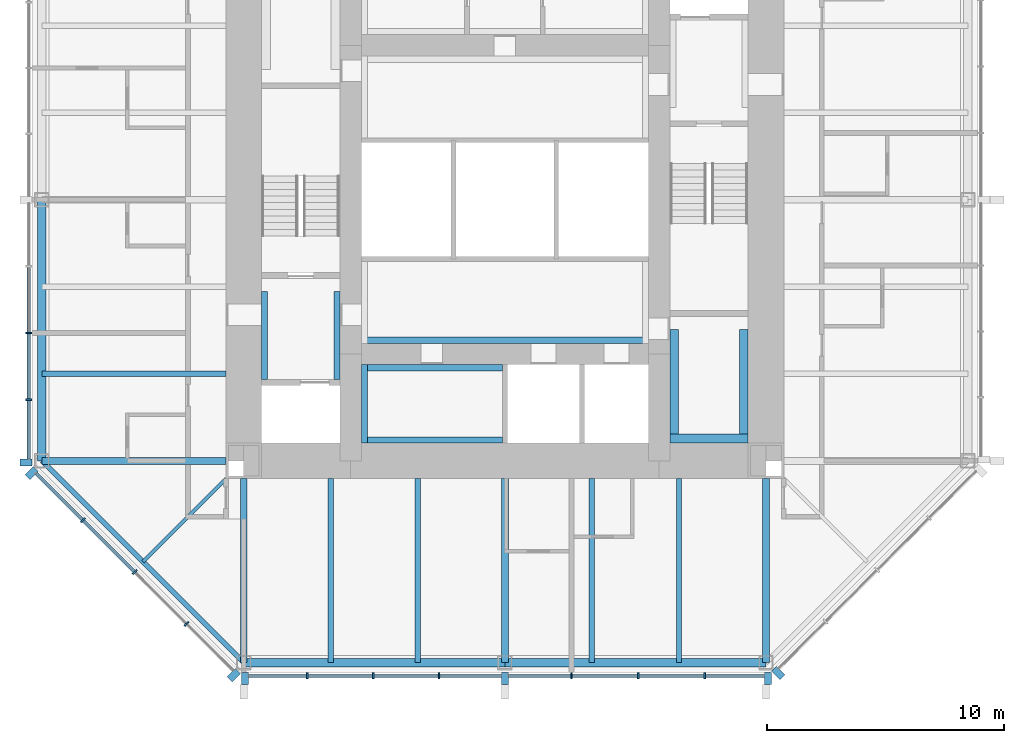
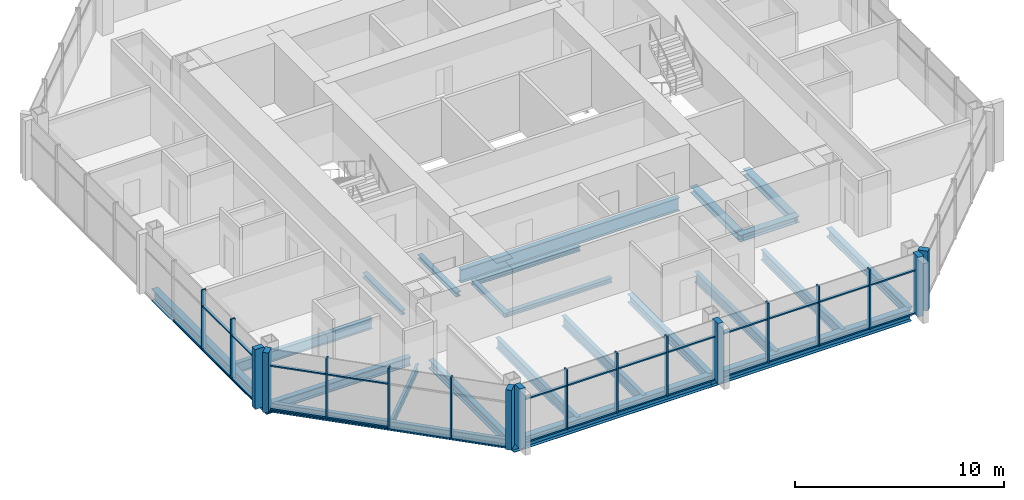
# One storey, part 2 of 11: 43 members, 23 beams, 4 elements without a shape of their own.
"""IFC4 building model written with IfcOpenShell, lengths in metres."""

from ifc_helpers import new_model, si_unit, direction, frame, origin, origin_2d, place, context, subcontext, project, spatial, rectangle, i_section, extrude, material, material_profile, profile_set, type_object, element, aggregate, save


model = new_model("IFC4")

# Units and contexts
model_context = context("Model", 3, precision=1e-05, world=origin(), true_north=direction((0.0, 1.0)))
body_context = subcontext(model_context, "Body", "Model", "MODEL_VIEW")
ifc_project = project(units=[si_unit("LENGTHUNIT", "METRE"), si_unit("AREAUNIT", "SQUARE_METRE"), si_unit("VOLUMEUNIT", "CUBIC_METRE"), si_unit("PLANEANGLEUNIT", "RADIAN"), si_unit("MASSUNIT", "GRAM", prefix="KILO")], contexts=[model_context])

# Site, building, storey
site_placement = place(None, origin())
site = spatial("IfcSite", under=ifc_project, at=site_placement, CompositionType="ELEMENT")
building_placement = place(site_placement, origin())
building = spatial("IfcBuilding", under=site, at=building_placement, Name="Trevanion Tower", CompositionType="ELEMENT")
storey_placement = place(building_placement, frame((0.0, 0.0, 250.199951171875)))
storey = spatial("IfcBuildingStorey", under=building, at=storey_placement, Name="L61", CompositionType="ELEMENT", Elevation=250.199951171875)

# Beams
ifc_material_1 = material(Name="Steel ASTM A992 Grade 50", Category="steel")
ifc_material_profile_1 = material_profile(ifc_material_1, i_section(OverallWidth=0.228271484375, OverallDepth=0.607177734375, WebThickness=0.01123046875, FlangeThickness=0.017333984375, at=origin_2d()), Name="W24X76")
ifc_profile_set_1 = profile_set([ifc_material_profile_1], Name="Steel ASTM A992 Grade 50")
beam_type_1 = type_object("IfcBeamType", Name="B11 W24X76", PredefinedType="BEAM", material=ifc_profile_set_1)
for number, where, z_axis, x_axis, name in (
    (1, (-11.75, -7.333251953125, -0.493408203125), (-1.0, 0.0, 0.0), (0.0, -1.0, 0.0), "B11 L61"),
    (2, (-7.333251953125, -11.75, -0.493408203125), (0.0, -1.0, 0.0), (1.0, 0.0, 0.0), "B11 L61"),
    (3, (-3.666748046875, -11.75, -0.493408203125), (0.0, -1.0, 0.0), (1.0, 0.0, 0.0), "B11 L61"),
    (4, (3.666748046875, -11.75, -0.493408203125), (0.0, -1.0, 0.0), (1.0, 0.0, 0.0), "B11 L61"),
    (5, (7.333251953125, -11.75, -0.493408203125), (0.0, -1.0, 0.0), (1.0, 0.0, 0.0), "B11 L61"),
):
    element("IfcBeam", number, at=place(storey_placement, frame(where, z_axis=z_axis, x_axis=x_axis)), inside=storey, type_object=beam_type_1, Name=name, PredefinedType="BEAM", context=body_context, shape_type="SweptSolid", body=[
        extrude(i_section(OverallWidth=0.228271484375, OverallDepth=0.607177734375, WebThickness=0.01123046875, FlangeThickness=0.017333984375, at=origin_2d()), origin(), (0.0, 0.0, 1.0), 7.75),
    ])
ifc_material_2 = material(Name="Steel ASTM A992 Grade 50", Category="steel")
ifc_material_profile_2 = material_profile(ifc_material_2, i_section(OverallWidth=0.15234375, OverallDepth=0.449462890625, WebThickness=0.007568359375, FlangeThickness=0.0107421875, at=origin_2d()), Name="W18X35")
ifc_profile_set_2 = profile_set([ifc_material_profile_2], Name="Steel ASTM A992 Grade 50")
beam_type_2 = type_object("IfcBeamType", Name="B12 W18X35", PredefinedType="BEAM", material=ifc_profile_set_2)
beam_1_placement = place(storey_placement, frame((-11.75, -11.75, -0.414794921875), z_axis=(-0.707106781187, -0.707106781187, 0.0), x_axis=(0.707106781187, -0.707106781187, 0.0)))
element("IfcBeam", 6, at=beam_1_placement, inside=storey, type_object=beam_type_2, Name="B12 L61", PredefinedType="BEAM", context=body_context, shape_type="SweptSolid", body=[
    extrude(i_section(OverallWidth=0.15234375, OverallDepth=0.449462890625, WebThickness=0.007568359375, FlangeThickness=0.0107421875, at=origin_2d()), origin(), (0.0, 0.0, 1.0), 4.94970703125),
])

# Curtain wall, members
ifc_material_3 = material(Name="Aluminium and glass", Category="aluminium")
curtain_wall_type = type_object("IfcCurtainWallType", Name="CW3 curtain wall", PredefinedType="USERDEFINED", material=ifc_material_3)
curtain_wall_1_placement = place(storey_placement, origin())
curtain_wall_1 = element("IfcCurtainWall", 7, at=curtain_wall_1_placement, inside=storey, type_object=curtain_wall_type, Name="CW3 L61 4", ObjectType="UNITISED CURTAIN WALL", PredefinedType="USERDEFINED")
ifc_material_4 = material(Name="Aluminium extrusion, anodised bronze", Category="aluminium")
ifc_material_profile_3 = material_profile(ifc_material_4, rectangle(XDim=0.074951171875, YDim=0.25, at=origin_2d()), Name="CW3 mullion")
ifc_profile_set_3 = profile_set([ifc_material_profile_3], Name="Aluminium extrusion, anodised bronze")
member_type_1 = type_object("IfcMemberType", Name="CW3 mullion", PredefinedType="MULLION", material=ifc_profile_set_3)
member_1_placement = place(storey_placement, frame((-20.050048828125, -5.614013671875, -0.18994140625), z_axis=(0.0, 0.0, 1.0), x_axis=(0.0, -1.0, 0.0)))
member_1 = element("IfcMember", 8, at=member_1_placement, type_object=member_type_1, Name="CW3 mullion 7", PredefinedType="MULLION", context=body_context, shape_type="SweptSolid", body=[
    extrude(rectangle(XDim=0.074951171875, YDim=0.25, at=origin_2d()), origin(), (0.0, 0.0, 1.0), 3.5),
])
member_2_placement = place(storey_placement, frame((-20.050048828125, -8.4208984375, -0.18994140625), z_axis=(0.0, 0.0, 1.0), x_axis=(0.0, -1.0, 0.0)))
member_2 = element("IfcMember", 9, at=member_2_placement, type_object=member_type_1, Name="CW3 mullion 8", PredefinedType="MULLION", context=body_context, shape_type="SweptSolid", body=[
    extrude(rectangle(XDim=0.074951171875, YDim=0.25, at=origin_2d()), origin(), (0.0, 0.0, 1.0), 3.5),
])

curtain_wall_2_placement = place(storey_placement, origin())
curtain_wall_2 = element("IfcCurtainWall", 10, at=curtain_wall_2_placement, inside=storey, type_object=curtain_wall_type, Name="CW3 L61 5", ObjectType="UNITISED CURTAIN WALL", PredefinedType="USERDEFINED")
member_3_placement = place(storey_placement, frame((-17.775390625, -13.502197265625, -0.18994140625), z_axis=(0.0, 0.0, 1.0), x_axis=(0.707106781187, -0.707106781187, 0.0)))
member_3 = element("IfcMember", 11, at=member_3_placement, type_object=member_type_1, Name="CW3 mullion 2", PredefinedType="MULLION", context=body_context, shape_type="SweptSolid", body=[
    extrude(rectangle(XDim=0.074951171875, YDim=0.25, at=origin_2d()), origin(), (0.0, 0.0, 1.0), 3.5),
])
member_4_placement = place(storey_placement, frame((-15.593017578125, -15.684814453125, -0.18994140625), z_axis=(0.0, 0.0, 1.0), x_axis=(0.707106781187, -0.707106781187, 0.0)))
member_4 = element("IfcMember", 12, at=member_4_placement, type_object=member_type_1, Name="CW3 mullion 3", PredefinedType="MULLION", context=body_context, shape_type="SweptSolid", body=[
    extrude(rectangle(XDim=0.074951171875, YDim=0.25, at=origin_2d()), origin(), (0.0, 0.0, 1.0), 3.5),
])
member_5_placement = place(storey_placement, frame((-13.410400390625, -17.867431640625, -0.18994140625), z_axis=(0.0, 0.0, 1.0), x_axis=(0.707106781187, -0.707106781187, 0.0)))
member_5 = element("IfcMember", 13, at=member_5_placement, type_object=member_type_1, Name="CW3 mullion 4", PredefinedType="MULLION", context=body_context, shape_type="SweptSolid", body=[
    extrude(rectangle(XDim=0.074951171875, YDim=0.25, at=origin_2d()), origin(), (0.0, 0.0, 1.0), 3.5),
])

curtain_wall_3_placement = place(storey_placement, origin())
curtain_wall_3 = element("IfcCurtainWall", 14, at=curtain_wall_3_placement, inside=storey, type_object=curtain_wall_type, Name="CW3 L61 6", ObjectType="UNITISED CURTAIN WALL", PredefinedType="USERDEFINED")
member_6_placement = place(storey_placement, frame((-8.323486328125, -20.050048828125, -0.18994140625), z_axis=(0.0, 0.0, 1.0), x_axis=(1.0, 0.0, 0.0)))
member_6 = element("IfcMember", 15, at=member_6_placement, type_object=member_type_1, Name="CW3 mullion 2", PredefinedType="MULLION", context=body_context, shape_type="SweptSolid", body=[
    extrude(rectangle(XDim=0.074951171875, YDim=0.25, at=origin_2d()), origin(), (0.0, 0.0, 1.0), 3.5),
])
member_7_placement = place(storey_placement, frame((-5.548828125, -20.050048828125, -0.18994140625), z_axis=(0.0, 0.0, 1.0), x_axis=(1.0, 0.0, 0.0)))
member_7 = element("IfcMember", 16, at=member_7_placement, type_object=member_type_1, Name="CW3 mullion 3", PredefinedType="MULLION", context=body_context, shape_type="SweptSolid", body=[
    extrude(rectangle(XDim=0.074951171875, YDim=0.25, at=origin_2d()), origin(), (0.0, 0.0, 1.0), 3.5),
])
member_8_placement = place(storey_placement, frame((-2.7744140625, -20.050048828125, -0.18994140625), z_axis=(0.0, 0.0, 1.0), x_axis=(1.0, 0.0, 0.0)))
member_8 = element("IfcMember", 17, at=member_8_placement, type_object=member_type_1, Name="CW3 mullion 4", PredefinedType="MULLION", context=body_context, shape_type="SweptSolid", body=[
    extrude(rectangle(XDim=0.074951171875, YDim=0.25, at=origin_2d()), origin(), (0.0, 0.0, 1.0), 3.5),
])
member_9_placement = place(storey_placement, frame((2.806884765625, -20.050048828125, -0.18994140625), z_axis=(0.0, 0.0, 1.0), x_axis=(1.0, 0.0, 0.0)))
member_9 = element("IfcMember", 18, at=member_9_placement, type_object=member_type_1, Name="CW3 mullion 6", PredefinedType="MULLION", context=body_context, shape_type="SweptSolid", body=[
    extrude(rectangle(XDim=0.074951171875, YDim=0.25, at=origin_2d()), origin(), (0.0, 0.0, 1.0), 3.5),
])
member_10_placement = place(storey_placement, frame((5.614013671875, -20.050048828125, -0.18994140625), z_axis=(0.0, 0.0, 1.0), x_axis=(1.0, 0.0, 0.0)))
member_10 = element("IfcMember", 19, at=member_10_placement, type_object=member_type_1, Name="CW3 mullion 7", PredefinedType="MULLION", context=body_context, shape_type="SweptSolid", body=[
    extrude(rectangle(XDim=0.074951171875, YDim=0.25, at=origin_2d()), origin(), (0.0, 0.0, 1.0), 3.5),
])
member_11_placement = place(storey_placement, frame((8.4208984375, -20.050048828125, -0.18994140625), z_axis=(0.0, 0.0, 1.0), x_axis=(1.0, 0.0, 0.0)))
member_11 = element("IfcMember", 20, at=member_11_placement, type_object=member_type_1, Name="CW3 mullion 8", PredefinedType="MULLION", context=body_context, shape_type="SweptSolid", body=[
    extrude(rectangle(XDim=0.074951171875, YDim=0.25, at=origin_2d()), origin(), (0.0, 0.0, 1.0), 3.5),
])

# Member
ifc_material_5 = material(Name="Aluminium extrusion, anodised bronze", Category="aluminium")
ifc_material_profile_4 = material_profile(ifc_material_5, rectangle(XDim=0.300048828125, YDim=0.5, at=origin_2d()), Name="CW3 pier mullion")
ifc_profile_set_4 = profile_set([ifc_material_profile_4], Name="Aluminium extrusion, anodised bronze")
member_type_2 = type_object("IfcMemberType", Name="CW3 pier mullion", PredefinedType="MULLION", material=ifc_profile_set_4)
member_12_placement = place(storey_placement, frame((-20.175048828125, -11.077880859375, -0.18994140625), z_axis=(0.0, 0.0, 1.0), x_axis=(0.0, -1.0, 0.0)))
member_12 = element("IfcMember", 21, at=member_12_placement, type_object=member_type_2, Name="CW3 pier mullion 9", PredefinedType="MULLION", context=body_context, shape_type="SweptSolid", body=[
    extrude(rectangle(XDim=0.300048828125, YDim=0.5, at=origin_2d()), origin(), (0.0, 0.0, 1.0), 3.5),
])

member_13_placement = place(storey_placement, frame((-19.9404296875, -11.51416015625, -0.18994140625), z_axis=(0.0, 0.0, 1.0), x_axis=(0.707106781187, -0.707106781187, 0.0)))
member_13 = element("IfcMember", 22, at=member_13_placement, type_object=member_type_2, Name="CW3 pier mullion 1", PredefinedType="MULLION", context=body_context, shape_type="SweptSolid", body=[
    extrude(rectangle(XDim=0.300048828125, YDim=0.5, at=origin_2d()), origin(), (0.0, 0.0, 1.0), 3.5),
])

member_14_placement = place(storey_placement, frame((-11.42236328125, -20.0322265625, -0.18994140625), z_axis=(0.0, 0.0, 1.0), x_axis=(0.707106781187, -0.707106781187, 0.0)))
member_14 = element("IfcMember", 23, at=member_14_placement, type_object=member_type_2, Name="CW3 pier mullion 5", PredefinedType="MULLION", context=body_context, shape_type="SweptSolid", body=[
    extrude(rectangle(XDim=0.300048828125, YDim=0.5, at=origin_2d()), origin(), (0.0, 0.0, 1.0), 3.5),
])

member_15_placement = place(storey_placement, frame((-10.94775390625, -20.175048828125, -0.18994140625), z_axis=(0.0, 0.0, 1.0), x_axis=(1.0, 0.0, 0.0)))
member_15 = element("IfcMember", 24, at=member_15_placement, type_object=member_type_2, Name="CW3 pier mullion 1", PredefinedType="MULLION", context=body_context, shape_type="SweptSolid", body=[
    extrude(rectangle(XDim=0.300048828125, YDim=0.5, at=origin_2d()), origin(), (0.0, 0.0, 1.0), 3.5),
])

member_16_placement = place(storey_placement, frame((0.0, -20.175048828125, -0.18994140625), z_axis=(0.0, 0.0, 1.0), x_axis=(1.0, 0.0, 0.0)))
member_16 = element("IfcMember", 25, at=member_16_placement, type_object=member_type_2, Name="CW3 pier mullion 5", PredefinedType="MULLION", context=body_context, shape_type="SweptSolid", body=[
    extrude(rectangle(XDim=0.300048828125, YDim=0.5, at=origin_2d()), origin(), (0.0, 0.0, 1.0), 3.5),
])

member_17_placement = place(storey_placement, frame((11.077880859375, -20.175048828125, -0.18994140625), z_axis=(0.0, 0.0, 1.0), x_axis=(1.0, 0.0, 0.0)))
member_17 = element("IfcMember", 26, at=member_17_placement, type_object=member_type_2, Name="CW3 pier mullion 9", PredefinedType="MULLION", context=body_context, shape_type="SweptSolid", body=[
    extrude(rectangle(XDim=0.300048828125, YDim=0.5, at=origin_2d()), origin(), (0.0, 0.0, 1.0), 3.5),
])

# Curtain wall, member
curtain_wall_4_placement = place(storey_placement, origin())
curtain_wall_4 = element("IfcCurtainWall", 27, at=curtain_wall_4_placement, inside=storey, type_object=curtain_wall_type, Name="CW3 L61 7", ObjectType="UNITISED CURTAIN WALL", PredefinedType="USERDEFINED")
member_18_placement = place(storey_placement, frame((11.51416015625, -19.9404296875, -0.18994140625), z_axis=(0.0, 0.0, 1.0), x_axis=(0.707106781187, 0.707106781187, 0.0)))
member_18 = element("IfcMember", 28, at=member_18_placement, type_object=member_type_2, Name="CW3 pier mullion 1", PredefinedType="MULLION", context=body_context, shape_type="SweptSolid", body=[
    extrude(rectangle(XDim=0.300048828125, YDim=0.5, at=origin_2d()), origin(), (0.0, 0.0, 1.0), 3.5),
])
aggregate(curtain_wall_4, [member_18])

# Member
ifc_material_6 = material(Name="Aluminium extrusion, anodised bronze", Category="aluminium")
ifc_material_profile_5 = material_profile(ifc_material_6, rectangle(XDim=0.14990234375, YDim=0.074951171875, at=origin_2d()), Name="CW3 transom")
ifc_profile_set_5 = profile_set([ifc_material_profile_5], Name="Aluminium extrusion, anodised bronze")
member_type_3 = type_object("IfcMemberType", Name="CW3 transom", PredefinedType="USERDEFINED", material=ifc_profile_set_5)
member_19_placement = place(storey_placement, frame((-20.050048828125, -2.844482421875, -0.15234375), z_axis=(0.0, -1.0, 0.0), x_axis=(1.0, 0.0, 0.0)))
member_19 = element("IfcMember", 29, at=member_19_placement, type_object=member_type_3, Name="CW3 transom 6.1", ObjectType="TRANSOM", PredefinedType="USERDEFINED", context=body_context, shape_type="SweptSolid", body=[
    extrude(rectangle(XDim=0.14990234375, YDim=0.074951171875, at=origin_2d()), origin(), (0.0, 0.0, 1.0), 2.73193359375),
])

member_20_placement = place(storey_placement, frame((-20.050048828125, -5.6513671875, -0.15234375), z_axis=(0.0, -1.0, 0.0), x_axis=(1.0, 0.0, 0.0)))
member_20 = element("IfcMember", 30, at=member_20_placement, type_object=member_type_3, Name="CW3 transom 7.1", ObjectType="TRANSOM", PredefinedType="USERDEFINED", context=body_context, shape_type="SweptSolid", body=[
    extrude(rectangle(XDim=0.14990234375, YDim=0.074951171875, at=origin_2d()), origin(), (0.0, 0.0, 1.0), 2.73193359375),
])

member_21_placement = place(storey_placement, frame((-20.050048828125, -5.6513671875, 2.360107421875), z_axis=(0.0, -1.0, 0.0), x_axis=(1.0, 0.0, 0.0)))
member_21 = element("IfcMember", 31, at=member_21_placement, type_object=member_type_3, Name="CW3 transom 7.2", ObjectType="TRANSOM", PredefinedType="USERDEFINED", context=body_context, shape_type="SweptSolid", body=[
    extrude(rectangle(XDim=0.14990234375, YDim=0.074951171875, at=origin_2d()), origin(), (0.0, 0.0, 1.0), 2.73193359375),
])

member_22_placement = place(storey_placement, frame((-20.050048828125, -8.45849609375, -0.15234375), z_axis=(0.0, -1.0, 0.0), x_axis=(1.0, 0.0, 0.0)))
member_22 = element("IfcMember", 32, at=member_22_placement, type_object=member_type_3, Name="CW3 transom 8.1", ObjectType="TRANSOM", PredefinedType="USERDEFINED", context=body_context, shape_type="SweptSolid", body=[
    extrude(rectangle(XDim=0.14990234375, YDim=0.074951171875, at=origin_2d()), origin(), (0.0, 0.0, 1.0), 2.46923828125),
])

member_23_placement = place(storey_placement, frame((-20.050048828125, -8.45849609375, 2.360107421875), z_axis=(0.0, -1.0, 0.0), x_axis=(1.0, 0.0, 0.0)))
member_23 = element("IfcMember", 33, at=member_23_placement, type_object=member_type_3, Name="CW3 transom 8.2", ObjectType="TRANSOM", PredefinedType="USERDEFINED", context=body_context, shape_type="SweptSolid", body=[
    extrude(rectangle(XDim=0.14990234375, YDim=0.074951171875, at=origin_2d()), origin(), (0.0, 0.0, 1.0), 2.46923828125),
])

aggregate(curtain_wall_1, [member_1, member_2, member_12, member_19, member_20, member_21, member_22, member_23])

member_24_placement = place(storey_placement, frame((-19.745849609375, -11.531982421875, -0.15234375), z_axis=(0.707106781187, -0.707106781187, 0.0), x_axis=(0.707106781187, 0.707106781187, 0.0)))
member_24 = element("IfcMember", 34, at=member_24_placement, type_object=member_type_3, Name="CW3 transom 1.1", ObjectType="TRANSOM", PredefinedType="USERDEFINED", context=body_context, shape_type="SweptSolid", body=[
    extrude(rectangle(XDim=0.14990234375, YDim=0.074951171875, at=origin_2d()), origin(), (0.0, 0.0, 1.0), 2.7490234375),
])

member_25_placement = place(storey_placement, frame((-19.745849609375, -11.531982421875, 2.360107421875), z_axis=(0.707106781187, -0.707106781187, 0.0), x_axis=(0.707106781187, 0.707106781187, 0.0)))
member_25 = element("IfcMember", 35, at=member_25_placement, type_object=member_type_3, Name="CW3 transom 1.2", ObjectType="TRANSOM", PredefinedType="USERDEFINED", context=body_context, shape_type="SweptSolid", body=[
    extrude(rectangle(XDim=0.14990234375, YDim=0.074951171875, at=origin_2d()), origin(), (0.0, 0.0, 1.0), 2.7490234375),
])

member_26_placement = place(storey_placement, frame((-17.7490234375, -13.52880859375, -0.15234375), z_axis=(0.707106781187, -0.707106781187, 0.0), x_axis=(0.707106781187, 0.707106781187, 0.0)))
member_26 = element("IfcMember", 36, at=member_26_placement, type_object=member_type_3, Name="CW3 transom 2.1", ObjectType="TRANSOM", PredefinedType="USERDEFINED", context=body_context, shape_type="SweptSolid", body=[
    extrude(rectangle(XDim=0.14990234375, YDim=0.074951171875, at=origin_2d()), origin(), (0.0, 0.0, 1.0), 3.01171875),
])

member_27_placement = place(storey_placement, frame((-17.7490234375, -13.52880859375, 2.360107421875), z_axis=(0.707106781187, -0.707106781187, 0.0), x_axis=(0.707106781187, 0.707106781187, 0.0)))
member_27 = element("IfcMember", 37, at=member_27_placement, type_object=member_type_3, Name="CW3 transom 2.2", ObjectType="TRANSOM", PredefinedType="USERDEFINED", context=body_context, shape_type="SweptSolid", body=[
    extrude(rectangle(XDim=0.14990234375, YDim=0.074951171875, at=origin_2d()), origin(), (0.0, 0.0, 1.0), 3.01171875),
])

aggregate(curtain_wall_2, [member_13, member_3, member_4, member_5, member_14, member_24, member_25, member_26, member_27])

member_28_placement = place(storey_placement, frame((-10.7978515625, -20.050048828125, -0.15234375), z_axis=(1.0, 0.0, 0.0), x_axis=(0.0, 1.0, 0.0)))
member_28 = element("IfcMember", 38, at=member_28_placement, type_object=member_type_3, Name="CW3 transom 1.1", ObjectType="TRANSOM", PredefinedType="USERDEFINED", context=body_context, shape_type="SweptSolid", body=[
    extrude(rectangle(XDim=0.14990234375, YDim=0.074951171875, at=origin_2d()), origin(), (0.0, 0.0, 1.0), 2.43701171875),
])

member_29_placement = place(storey_placement, frame((-10.7978515625, -20.050048828125, 2.360107421875), z_axis=(1.0, 0.0, 0.0), x_axis=(0.0, 1.0, 0.0)))
member_29 = element("IfcMember", 39, at=member_29_placement, type_object=member_type_3, Name="CW3 transom 1.2", ObjectType="TRANSOM", PredefinedType="USERDEFINED", context=body_context, shape_type="SweptSolid", body=[
    extrude(rectangle(XDim=0.14990234375, YDim=0.074951171875, at=origin_2d()), origin(), (0.0, 0.0, 1.0), 2.43701171875),
])

member_30_placement = place(storey_placement, frame((-8.285888671875, -20.050048828125, -0.15234375), z_axis=(1.0, 0.0, 0.0), x_axis=(0.0, 1.0, 0.0)))
member_30 = element("IfcMember", 40, at=member_30_placement, type_object=member_type_3, Name="CW3 transom 2.1", ObjectType="TRANSOM", PredefinedType="USERDEFINED", context=body_context, shape_type="SweptSolid", body=[
    extrude(rectangle(XDim=0.14990234375, YDim=0.074951171875, at=origin_2d()), origin(), (0.0, 0.0, 1.0), 2.699462890625),
])

member_31_placement = place(storey_placement, frame((-8.285888671875, -20.050048828125, 2.360107421875), z_axis=(1.0, 0.0, 0.0), x_axis=(0.0, 1.0, 0.0)))
member_31 = element("IfcMember", 41, at=member_31_placement, type_object=member_type_3, Name="CW3 transom 2.2", ObjectType="TRANSOM", PredefinedType="USERDEFINED", context=body_context, shape_type="SweptSolid", body=[
    extrude(rectangle(XDim=0.14990234375, YDim=0.074951171875, at=origin_2d()), origin(), (0.0, 0.0, 1.0), 2.699462890625),
])

member_32_placement = place(storey_placement, frame((-5.511474609375, -20.050048828125, -0.15234375), z_axis=(1.0, 0.0, 0.0), x_axis=(0.0, 1.0, 0.0)))
member_32 = element("IfcMember", 42, at=member_32_placement, type_object=member_type_3, Name="CW3 transom 3.1", ObjectType="TRANSOM", PredefinedType="USERDEFINED", context=body_context, shape_type="SweptSolid", body=[
    extrude(rectangle(XDim=0.14990234375, YDim=0.074951171875, at=origin_2d()), origin(), (0.0, 0.0, 1.0), 2.699462890625),
])

member_33_placement = place(storey_placement, frame((-5.511474609375, -20.050048828125, 2.360107421875), z_axis=(1.0, 0.0, 0.0), x_axis=(0.0, 1.0, 0.0)))
member_33 = element("IfcMember", 43, at=member_33_placement, type_object=member_type_3, Name="CW3 transom 3.2", ObjectType="TRANSOM", PredefinedType="USERDEFINED", context=body_context, shape_type="SweptSolid", body=[
    extrude(rectangle(XDim=0.14990234375, YDim=0.074951171875, at=origin_2d()), origin(), (0.0, 0.0, 1.0), 2.699462890625),
])

member_34_placement = place(storey_placement, frame((-2.737060546875, -20.050048828125, -0.15234375), z_axis=(1.0, 0.0, 0.0), x_axis=(0.0, 1.0, 0.0)))
member_34 = element("IfcMember", 44, at=member_34_placement, type_object=member_type_3, Name="CW3 transom 4.1", ObjectType="TRANSOM", PredefinedType="USERDEFINED", context=body_context, shape_type="SweptSolid", body=[
    extrude(rectangle(XDim=0.14990234375, YDim=0.074951171875, at=origin_2d()), origin(), (0.0, 0.0, 1.0), 2.587158203125),
])

member_35_placement = place(storey_placement, frame((-2.737060546875, -20.050048828125, 2.360107421875), z_axis=(1.0, 0.0, 0.0), x_axis=(0.0, 1.0, 0.0)))
member_35 = element("IfcMember", 45, at=member_35_placement, type_object=member_type_3, Name="CW3 transom 4.2", ObjectType="TRANSOM", PredefinedType="USERDEFINED", context=body_context, shape_type="SweptSolid", body=[
    extrude(rectangle(XDim=0.14990234375, YDim=0.074951171875, at=origin_2d()), origin(), (0.0, 0.0, 1.0), 2.587158203125),
])

member_36_placement = place(storey_placement, frame((0.14990234375, -20.050048828125, -0.15234375), z_axis=(1.0, 0.0, 0.0), x_axis=(0.0, 1.0, 0.0)))
member_36 = element("IfcMember", 46, at=member_36_placement, type_object=member_type_3, Name="CW3 transom 5.1", ObjectType="TRANSOM", PredefinedType="USERDEFINED", context=body_context, shape_type="SweptSolid", body=[
    extrude(rectangle(XDim=0.14990234375, YDim=0.074951171875, at=origin_2d()), origin(), (0.0, 0.0, 1.0), 2.619384765625),
])

member_37_placement = place(storey_placement, frame((0.14990234375, -20.050048828125, 2.360107421875), z_axis=(1.0, 0.0, 0.0), x_axis=(0.0, 1.0, 0.0)))
member_37 = element("IfcMember", 47, at=member_37_placement, type_object=member_type_3, Name="CW3 transom 5.2", ObjectType="TRANSOM", PredefinedType="USERDEFINED", context=body_context, shape_type="SweptSolid", body=[
    extrude(rectangle(XDim=0.14990234375, YDim=0.074951171875, at=origin_2d()), origin(), (0.0, 0.0, 1.0), 2.619384765625),
])

member_38_placement = place(storey_placement, frame((2.844482421875, -20.050048828125, -0.15234375), z_axis=(1.0, 0.0, 0.0), x_axis=(0.0, 1.0, 0.0)))
member_38 = element("IfcMember", 48, at=member_38_placement, type_object=member_type_3, Name="CW3 transom 6.1", ObjectType="TRANSOM", PredefinedType="USERDEFINED", context=body_context, shape_type="SweptSolid", body=[
    extrude(rectangle(XDim=0.14990234375, YDim=0.074951171875, at=origin_2d()), origin(), (0.0, 0.0, 1.0), 2.73193359375),
])

member_39_placement = place(storey_placement, frame((2.844482421875, -20.050048828125, 2.360107421875), z_axis=(1.0, 0.0, 0.0), x_axis=(0.0, 1.0, 0.0)))
member_39 = element("IfcMember", 49, at=member_39_placement, type_object=member_type_3, Name="CW3 transom 6.2", ObjectType="TRANSOM", PredefinedType="USERDEFINED", context=body_context, shape_type="SweptSolid", body=[
    extrude(rectangle(XDim=0.14990234375, YDim=0.074951171875, at=origin_2d()), origin(), (0.0, 0.0, 1.0), 2.73193359375),
])

member_40_placement = place(storey_placement, frame((5.6513671875, -20.050048828125, -0.15234375), z_axis=(1.0, 0.0, 0.0), x_axis=(0.0, 1.0, 0.0)))
member_40 = element("IfcMember", 50, at=member_40_placement, type_object=member_type_3, Name="CW3 transom 7.1", ObjectType="TRANSOM", PredefinedType="USERDEFINED", context=body_context, shape_type="SweptSolid", body=[
    extrude(rectangle(XDim=0.14990234375, YDim=0.074951171875, at=origin_2d()), origin(), (0.0, 0.0, 1.0), 2.73193359375),
])

member_41_placement = place(storey_placement, frame((5.6513671875, -20.050048828125, 2.360107421875), z_axis=(1.0, 0.0, 0.0), x_axis=(0.0, 1.0, 0.0)))
member_41 = element("IfcMember", 51, at=member_41_placement, type_object=member_type_3, Name="CW3 transom 7.2", ObjectType="TRANSOM", PredefinedType="USERDEFINED", context=body_context, shape_type="SweptSolid", body=[
    extrude(rectangle(XDim=0.14990234375, YDim=0.074951171875, at=origin_2d()), origin(), (0.0, 0.0, 1.0), 2.73193359375),
])

member_42_placement = place(storey_placement, frame((8.45849609375, -20.050048828125, -0.15234375), z_axis=(1.0, 0.0, 0.0), x_axis=(0.0, 1.0, 0.0)))
member_42 = element("IfcMember", 52, at=member_42_placement, type_object=member_type_3, Name="CW3 transom 8.1", ObjectType="TRANSOM", PredefinedType="USERDEFINED", context=body_context, shape_type="SweptSolid", body=[
    extrude(rectangle(XDim=0.14990234375, YDim=0.074951171875, at=origin_2d()), origin(), (0.0, 0.0, 1.0), 2.46923828125),
])

member_43_placement = place(storey_placement, frame((8.45849609375, -20.050048828125, 2.360107421875), z_axis=(1.0, 0.0, 0.0), x_axis=(0.0, 1.0, 0.0)))
member_43 = element("IfcMember", 53, at=member_43_placement, type_object=member_type_3, Name="CW3 transom 8.2", ObjectType="TRANSOM", PredefinedType="USERDEFINED", context=body_context, shape_type="SweptSolid", body=[
    extrude(rectangle(XDim=0.14990234375, YDim=0.074951171875, at=origin_2d()), origin(), (0.0, 0.0, 1.0), 2.46923828125),
])

aggregate(curtain_wall_3, [member_15, member_6, member_7, member_8, member_16, member_9, member_10, member_11, member_17, member_28, member_29, member_30, member_31, member_32, member_33, member_34, member_35, member_36, member_37, member_38, member_39, member_40, member_41, member_42, member_43])

# Beams
ifc_material_7 = material(Name="Steel ASTM A992 Grade 50", Category="steel")
ifc_material_profile_6 = material_profile(ifc_material_7, i_section(OverallWidth=0.28955078125, OverallDepth=0.508056640625, WebThickness=0.022705078125, FlangeThickness=0.040283203125, at=origin_2d()), Name="W18X175")
ifc_profile_set_6 = profile_set([ifc_material_profile_6], Name="Steel ASTM A992 Grade 50")
beam_type_3 = type_object("IfcBeamType", Name="G6 W18X175", PredefinedType="BEAM", material=ifc_profile_set_6)
for number, where, z_axis, x_axis, name in (
    (54, (-11.75, -11.0, -0.44384765625), (-1.0, 0.0, 0.0), (0.0, -1.0, 0.0), "G6 L61"),
    (55, (-11.0, -11.75, -0.44384765625), (0.0, -1.0, 0.0), (1.0, 0.0, 0.0), "G6 L61"),
    (56, (0.0, -11.75, -0.44384765625), (0.0, -1.0, 0.0), (1.0, 0.0, 0.0), "G6 L61"),
    (57, (11.0, -11.75, -0.44384765625), (0.0, -1.0, 0.0), (1.0, 0.0, 0.0), "G6 L61"),
):
    element("IfcBeam", number, at=place(storey_placement, frame(where, z_axis=z_axis, x_axis=x_axis)), inside=storey, type_object=beam_type_3, Name=name, PredefinedType="BEAM", context=body_context, shape_type="SweptSolid", body=[
        extrude(i_section(OverallWidth=0.28955078125, OverallDepth=0.508056640625, WebThickness=0.022705078125, FlangeThickness=0.040283203125, at=origin_2d()), origin(), (0.0, 0.0, 1.0), 7.75),
    ])
ifc_material_8 = material(Name="Steel ASTM A992 Grade 50", Category="steel")
ifc_material_profile_7 = material_profile(ifc_material_8, i_section(OverallWidth=0.256591796875, OverallDepth=0.26416015625, WebThickness=0.011962890625, FlangeThickness=0.01953125, at=origin_2d()), Name="W10X68")
ifc_profile_set_7 = profile_set([ifc_material_profile_7], Name="Steel ASTM A992 Grade 50")
beam_type_4 = type_object("IfcBeamType", Name="LB1 W10X68", PredefinedType="BEAM", material=ifc_profile_set_7)
for number, where, z_axis, x_axis, name in (
    (58, (-10.12158203125, -7.574951171875, -0.33203125), (0.0, 1.0, 0.0), (-1.0, 0.0, 0.0), "LB1 L61"),
    (59, (-7.078369140625, -7.574951171875, -0.33203125), (0.0, 1.0, 0.0), (-1.0, 0.0, 0.0), "LB1 L61"),
):
    element("IfcBeam", number, at=place(storey_placement, frame(where, z_axis=z_axis, x_axis=x_axis)), inside=storey, type_object=beam_type_4, Name=name, PredefinedType="BEAM", context=body_context, shape_type="SweptSolid", body=[
        extrude(i_section(OverallWidth=0.256591796875, OverallDepth=0.26416015625, WebThickness=0.011962890625, FlangeThickness=0.01953125, at=origin_2d()), origin(), (0.0, 0.0, 1.0), 3.699951171875),
    ])
beam_2_placement = place(storey_placement, frame((-5.921630859375, -10.25, -0.33203125), z_axis=(0.0, 1.0, 0.0), x_axis=(-1.0, 0.0, 0.0)))
element("IfcBeam", 60, at=beam_2_placement, inside=storey, type_object=beam_type_4, Name="LB1 L61", PredefinedType="BEAM", context=body_context, shape_type="SweptSolid", body=[
    extrude(i_section(OverallWidth=0.256591796875, OverallDepth=0.26416015625, WebThickness=0.011962890625, FlangeThickness=0.01953125, at=origin_2d()), origin(), (0.0, 0.0, 1.0), 3.300048828125),
])
for number, where, z_axis, x_axis, name in (
    (61, (-6.050048828125, -10.12158203125, -0.33203125), (1.0, 0.0, 0.0), (0.0, 1.0, 0.0), "LB1 L61"),
    (62, (-6.050048828125, -7.078369140625, -0.33203125), (1.0, 0.0, 0.0), (0.0, 1.0, 0.0), "LB1 L61"),
):
    element("IfcBeam", number, at=place(storey_placement, frame(where, z_axis=z_axis, x_axis=x_axis)), inside=storey, type_object=beam_type_4, Name=name, PredefinedType="BEAM", context=body_context, shape_type="SweptSolid", body=[
        extrude(i_section(OverallWidth=0.256591796875, OverallDepth=0.26416015625, WebThickness=0.011962890625, FlangeThickness=0.01953125, at=origin_2d()), origin(), (0.0, 0.0, 1.0), 5.949951171875),
    ])
ifc_material_9 = material(Name="Steel ASTM A992 Grade 50", Category="steel")
ifc_material_profile_8 = material_profile(ifc_material_9, i_section(OverallWidth=0.373291015625, OverallDepth=0.373291015625, WebThickness=0.016357421875, FlangeThickness=0.026123046875, at=origin_2d()), Name="W14X132")
ifc_profile_set_8 = profile_set([ifc_material_profile_8], Name="Steel ASTM A992 Grade 50")
beam_type_5 = type_object("IfcBeamType", Name="LB2 W14X132", PredefinedType="BEAM", material=ifc_profile_set_8)
for number, where, z_axis, x_axis, name in (
    (63, (7.13671875, -10.25, -0.38671875), (0.0, 1.0, 0.0), (-1.0, 0.0, 0.0), "LB2 L61"),
    (64, (10.063232421875, -10.25, -0.38671875), (0.0, 1.0, 0.0), (-1.0, 0.0, 0.0), "LB2 L61"),
):
    element("IfcBeam", number, at=place(storey_placement, frame(where, z_axis=z_axis, x_axis=x_axis)), inside=storey, type_object=beam_type_5, Name=name, PredefinedType="BEAM", context=body_context, shape_type="SweptSolid", body=[
        extrude(i_section(OverallWidth=0.373291015625, OverallDepth=0.373291015625, WebThickness=0.016357421875, FlangeThickness=0.026123046875, at=origin_2d()), origin(), (0.0, 0.0, 1.0), 4.77490234375),
    ])
beam_3_placement = place(storey_placement, frame((6.949951171875, -10.063232421875, -0.38671875), z_axis=(1.0, 0.0, 0.0), x_axis=(0.0, 1.0, 0.0)))
element("IfcBeam", 65, at=beam_3_placement, inside=storey, type_object=beam_type_5, Name="LB2 L61", PredefinedType="BEAM", context=body_context, shape_type="SweptSolid", body=[
    extrude(i_section(OverallWidth=0.373291015625, OverallDepth=0.373291015625, WebThickness=0.016357421875, FlangeThickness=0.026123046875, at=origin_2d()), origin(), (0.0, 0.0, 1.0), 3.300048828125),
])
ifc_material_10 = material(Name="Steel ASTM A992 Grade 50", Category="steel")
ifc_material_profile_9 = material_profile(ifc_material_10, i_section(OverallWidth=0.2666015625, OverallDepth=0.76953125, WebThickness=0.015625, FlangeThickness=0.025390625, at=origin_2d()), Name="W30X132")
ifc_profile_set_9 = profile_set([ifc_material_profile_9], Name="Steel ASTM A992 Grade 50")
beam_type_6 = type_object("IfcBeamType", Name="LB3 W30X132", PredefinedType="BEAM", material=ifc_profile_set_9)
beam_4_placement = place(storey_placement, frame((-6.050048828125, -5.91650390625, -0.584716796875), z_axis=(1.0, 0.0, 0.0), x_axis=(0.0, 1.0, 0.0)))
element("IfcBeam", 66, at=beam_4_placement, inside=storey, type_object=beam_type_6, Name="LB3 L61", PredefinedType="BEAM", context=body_context, shape_type="SweptSolid", body=[
    extrude(i_section(OverallWidth=0.2666015625, OverallDepth=0.76953125, WebThickness=0.015625, FlangeThickness=0.025390625, at=origin_2d()), origin(), (0.0, 0.0, 1.0), 12.10009765625),
])
ifc_material_11 = material(Name="Steel ASTM A992 Grade 50", Category="steel")
ifc_material_profile_10 = material_profile(ifc_material_11, i_section(OverallWidth=0.355712890625, OverallDepth=0.696044921875, WebThickness=0.015380859375, FlangeThickness=0.024658203125, at=origin_2d()), Name="W27X146")
ifc_profile_set_10 = profile_set([ifc_material_profile_10], Name="Steel ASTM A992 Grade 50")
beam_type_7 = type_object("IfcBeamType", Name="SB8 W27X146", PredefinedType="SPANDREL", material=ifc_profile_set_10)
for number, where, z_axis, x_axis, name in (
    (67, (-19.5, 0.0, -0.537841796875), (0.0, -1.0, 0.0), (1.0, 0.0, 0.0), "SB8 L61"),
    (68, (-11.0, -19.5, -0.537841796875), (1.0, 0.0, 0.0), (0.0, 1.0, 0.0), "SB8 L61"),
    (69, (0.0, -19.5, -0.537841796875), (1.0, 0.0, 0.0), (0.0, 1.0, 0.0), "SB8 L61"),
):
    element("IfcBeam", number, at=place(storey_placement, frame(where, z_axis=z_axis, x_axis=x_axis)), inside=storey, type_object=beam_type_7, Name=name, PredefinedType="SPANDREL", context=body_context, shape_type="SweptSolid", body=[
        extrude(i_section(OverallWidth=0.355712890625, OverallDepth=0.696044921875, WebThickness=0.015380859375, FlangeThickness=0.024658203125, at=origin_2d()), origin(), (0.0, 0.0, 1.0), 11.0),
    ])
ifc_material_12 = material(Name="Steel ASTM A992 Grade 50", Category="steel")
ifc_material_profile_11 = material_profile(ifc_material_12, i_section(OverallWidth=0.209228515625, OverallDepth=0.533447265625, WebThickness=0.01025390625, FlangeThickness=0.015625, at=origin_2d()), Name="W21X62")
ifc_profile_set_11 = profile_set([ifc_material_profile_11], Name="Steel ASTM A992 Grade 50")
beam_type_8 = type_object("IfcBeamType", Name="SB9 W21X62", PredefinedType="SPANDREL", material=ifc_profile_set_11)
beam_5_placement = place(storey_placement, frame((-19.5, -11.0, -0.45654296875), z_axis=(0.707106781187, -0.707106781187, 0.0), x_axis=(0.707106781187, 0.707106781187, 0.0)))
element("IfcBeam", 70, at=beam_5_placement, inside=storey, type_object=beam_type_8, Name="SB9 L61", PredefinedType="SPANDREL", context=body_context, shape_type="SweptSolid", body=[
    extrude(i_section(OverallWidth=0.209228515625, OverallDepth=0.533447265625, WebThickness=0.01025390625, FlangeThickness=0.015625, at=origin_2d()), origin(), (0.0, 0.0, 1.0), 12.020751953125),
])

save(model, "model.ifc")
